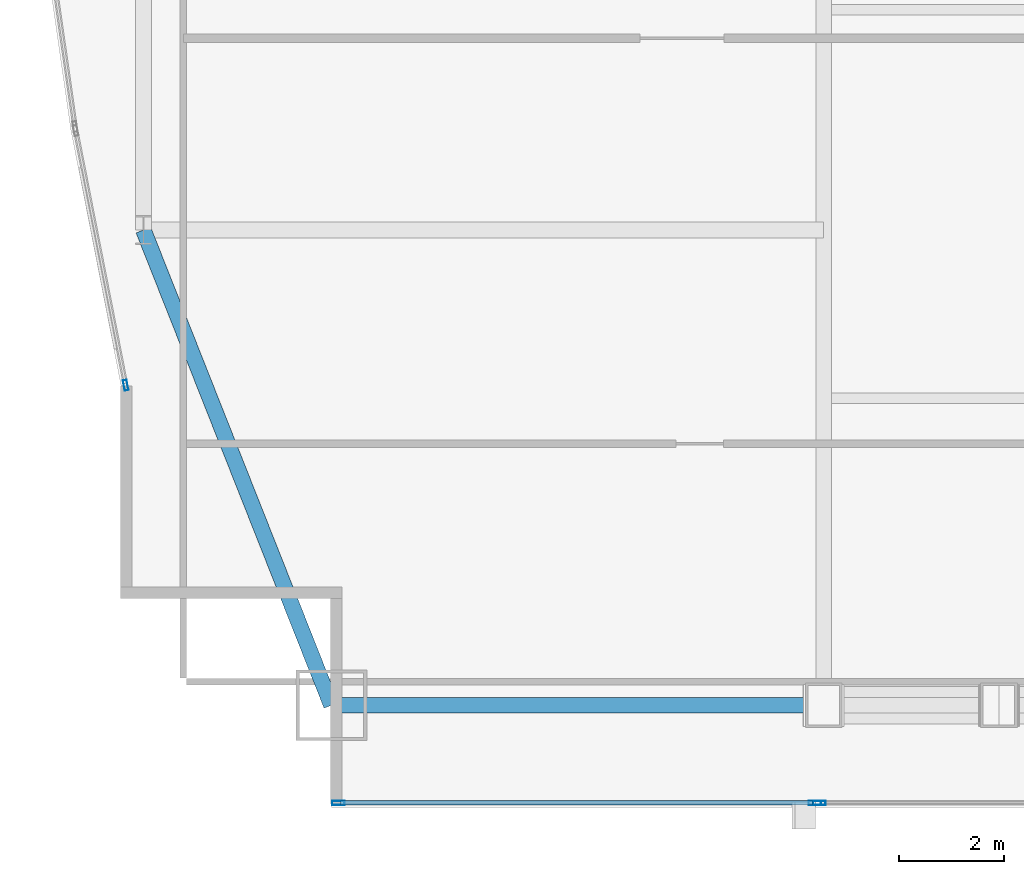
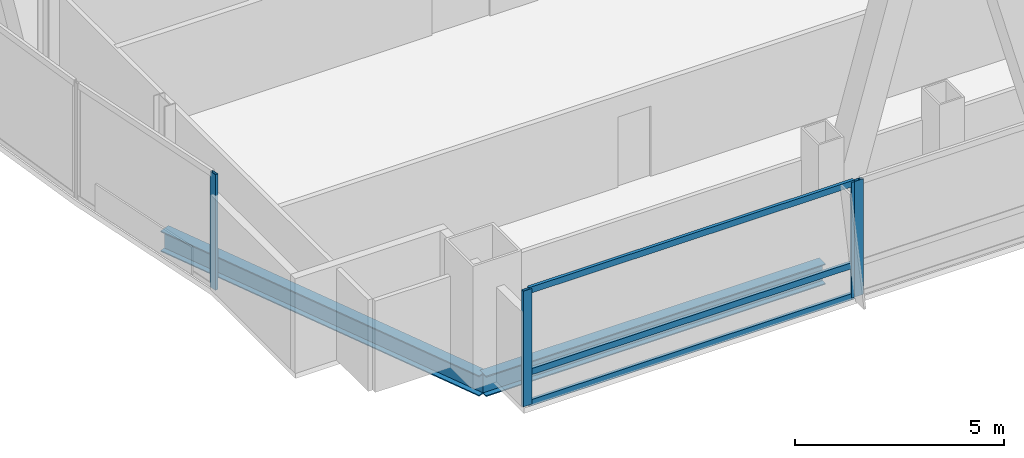
# One storey, part 5 of 31: 7 members, 2 beams, 3 elements without a shape of their own.
"""IFC4 building model written with IfcOpenShell, lengths in metres."""

import ifcopenshell
import ifcopenshell.guid

model = None  # the IFC model being written
_history = None  # IfcOwnerHistory: only IFC2X3 demands one
_inside = {}  # id of a spatial element -> (the spatial element, [elements in it])
_under = {}  # id of a project, library or spatial element -> (it, [spatial elements below it])
_declared = {}  # id of a project -> (the project, [libraries it declares])
_typed = {}  # id of a type object -> (the type object, [elements of that type])
_made_of = {}  # id of a material, layer set ... -> (it, [elements and type objects made of it])


def new_model(schema):
    """Start an empty IFC model of exactly this schema.

    Asked for "IFC4X3", IfcOpenShell would pick the latest addendum, in which some entities
    have other attributes; the version numbers below select the first issue.
    IFC2X3 requires an IfcOwnerHistory on every rooted entity: one is made here for all.
    """
    global model, _history
    if schema == "IFC4X3":
        model = ifcopenshell.file(schema_version=(4, 3, 0, 0))
    else:
        model = ifcopenshell.file(schema=schema)
    _inside.clear()
    _under.clear()
    _declared.clear()
    _typed.clear()
    _made_of.clear()
    _history = None
    if model.schema == "IFC2X3":
        org = make("IfcOrganization", Name="unknown")
        user = make(
            "IfcPersonAndOrganization",
            ThePerson=make("IfcPerson", FamilyName="unknown"),
            TheOrganization=org,
        )
        app = make(
            "IfcApplication",
            ApplicationDeveloper=org,
            Version="unknown",
            ApplicationFullName="unknown",
            ApplicationIdentifier="unknown",
        )
        _history = make(
            "IfcOwnerHistory",
            OwningUser=user,
            OwningApplication=app,
            ChangeAction="ADDED",
            CreationDate=0,
        )
    return model


def make(cls, **values):
    """One entity of the class cls with the attributes given. An attribute that is None is left unset."""
    return model.create_entity(
        cls, **{name: value for name, value in values.items() if value is not None}
    )


def rooted(cls, **values):
    """An entity with a GlobalId (a new one), such as an element, a storey or a relation."""
    return make(cls, GlobalId=ifcopenshell.guid.new(), OwnerHistory=_history, **values)


def si_unit(unit_type, name, prefix=None):
    """IfcSIUnit, for example si_unit("LENGTHUNIT", "METRE", prefix="MILLI")."""
    return make("IfcSIUnit", UnitType=unit_type, Prefix=prefix, Name=name)


def assignment(units):
    """IfcUnitAssignment: the units of a project."""
    return None if units is None else make("IfcUnitAssignment", Units=units)


def point(xyz):
    """IfcCartesianPoint."""
    return None if xyz is None else make("IfcCartesianPoint", Coordinates=xyz)


def direction(xyz):
    """IfcDirection."""
    return None if xyz is None else make("IfcDirection", DirectionRatios=xyz)


def frame(location, z_axis=None, x_axis=None):
    """IfcAxis2Placement3D, a coordinate frame: its origin and axes. An axis left out is left unset."""
    return make(
        "IfcAxis2Placement3D",
        Location=point(location),
        Axis=direction(z_axis),
        RefDirection=direction(x_axis),
    )


def frame_2d(location, x_axis=None):
    """IfcAxis2Placement2D, a coordinate frame in the plane: its origin and x axis."""
    return make(
        "IfcAxis2Placement2D", Location=point(location), RefDirection=direction(x_axis)
    )


def origin():
    """The frame at (0, 0, 0) with its axes left unset."""
    return frame((0.0, 0.0, 0.0))


def origin_2d():
    """The frame at (0, 0) in the plane with its x axis left unset."""
    return frame_2d((0.0, 0.0))


def place(relative_to, where):
    """IfcLocalPlacement: puts the frame where relative to a parent placement (None: the world)."""
    return make(
        "IfcLocalPlacement", PlacementRelTo=relative_to, RelativePlacement=where
    )


def context(
    kind, dimensions, precision=None, world=None, true_north=None, identifier=None
):
    """IfcGeometricRepresentationContext, for example the 3D "Model" context."""
    return make(
        "IfcGeometricRepresentationContext",
        ContextIdentifier=identifier,
        ContextType=kind,
        CoordinateSpaceDimension=dimensions,
        Precision=precision,
        WorldCoordinateSystem=world,
        TrueNorth=true_north,
    )


def subcontext(parent, identifier, kind, view, scale=None):
    """IfcGeometricRepresentationSubContext, for example "Body" below "Model"."""
    return make(
        "IfcGeometricRepresentationSubContext",
        ContextIdentifier=identifier,
        ContextType=kind,
        ParentContext=parent,
        TargetScale=scale,
        TargetView=view,
    )


def project(units=None, contexts=None):
    """IfcProject with its units and contexts."""
    return rooted(
        "IfcProject",
        Name="project",
        RepresentationContexts=contexts,
        UnitsInContext=assignment(units),
    )


def spatial(cls, under=None, at=None, **own):
    """A site, building, storey or space (cls), placed at a placement, below another one or the project."""
    s = rooted(cls, ObjectPlacement=at, **own)
    if under is not None:
        _under.setdefault(under.id(), (under, []))[1].append(s)
    return s


def profile(cls, at=None, kind="AREA", **sizes):
    """A parametric profile (cls). Its sizes go by their IFC names, for example OverallWidth=200.0."""
    return make(cls, ProfileType=kind, Position=at, **sizes)


def hollow_rectangle(**sizes):
    """IfcRectangleHollowProfileDef."""
    return profile("IfcRectangleHollowProfileDef", **sizes)


def i_section(**sizes):
    """IfcIShapeProfileDef."""
    return profile("IfcIShapeProfileDef", **sizes)


def extrude(swept, where, along, depth):
    """IfcExtrudedAreaSolid: the profile swept, set in the frame where, extruded along a direction by depth."""
    return make(
        "IfcExtrudedAreaSolid",
        SweptArea=swept,
        Position=where,
        ExtrudedDirection=direction(along),
        Depth=depth,
    )


def shape(context_of_items, identifier, shape_type, items):
    """IfcShapeRepresentation: the items that make up one representation, for example the "Body"."""
    return make(
        "IfcShapeRepresentation",
        ContextOfItems=context_of_items,
        RepresentationIdentifier=identifier,
        RepresentationType=shape_type,
        Items=items,
    )


def material(Name=None, Category=None):
    """IfcMaterial."""
    return make("IfcMaterial", Name=Name, Category=Category)


def material_profile(
    of_material, cross_section, Name=None, Category=None, Priority=None
):
    """IfcMaterialProfile: a cross section and its material."""
    return make(
        "IfcMaterialProfile",
        Name=Name,
        Material=of_material,
        Profile=cross_section,
        Priority=Priority,
        Category=Category,
    )


def profile_set(profiles, Name=None, composite=None):
    """IfcMaterialProfileSet."""
    return make(
        "IfcMaterialProfileSet",
        Name=Name,
        MaterialProfiles=profiles,
        CompositeProfile=composite,
    )


def made_of(thing, what):
    """Note that an element or type object is made of a material, layer set ...; save() writes the relation."""
    if what is not None:
        _made_of.setdefault(what.id(), (what, []))[1].append(thing)
    return thing


def type_object(cls, material=None, **own):
    """A type object (cls), such as IfcWallType, which elements share."""
    return made_of(rooted(cls, **own), material)


def element(
    cls,
    number,
    at=None,
    inside=None,
    cuts=None,
    type_object=None,
    material=None,
    context=None,
    identifier="Body",
    shape_type=None,
    held_by="IfcProductDefinitionShape",
    body=None,
    shapes=None,
    **own,
):
    """One element of the class cls, such as IfcWall. Its Tag is "e" and its number.

    at: its placement. inside: the storey or other place that contains it. cuts: it is an
    opening in that element (IfcRelVoidsElement). A single representation is given by context,
    identifier, shape_type and body (its items); several are given by shapes. held_by: the class
    of the entity that holds the representations. save() writes the other relations.
    """
    e = rooted(cls, Tag="e%d" % number, ObjectPlacement=at, **own)
    if body is not None:
        shapes = [shape(context, identifier, shape_type, body)]
    if shapes is not None:
        e.Representation = make(held_by, Representations=shapes)
    if inside is not None:
        _inside.setdefault(inside.id(), (inside, []))[1].append(e)
    if cuts is not None:
        rooted(
            "IfcRelVoidsElement", RelatingBuildingElement=cuts, RelatedOpeningElement=e
        )
    if type_object is not None:
        _typed.setdefault(type_object.id(), (type_object, []))[1].append(e)
    return made_of(e, material)


def aggregate(whole, parts):
    """IfcRelAggregates: a whole, such as a stair, and the parts it consists of."""
    return rooted("IfcRelAggregates", RelatingObject=whole, RelatedObjects=parts)


def save(model, path):
    """Write the relations noted so far, then the file.

    IfcRelAggregates (storeys below a building ...), IfcRelContainedInSpatialStructure (elements
    in a storey), IfcRelDefinesByType, IfcRelAssociatesMaterial and IfcRelDeclares: one each for
    every whole, place, type object, material and project.
    """
    for whole, parts in _under.values():
        aggregate(whole, parts)
    for where, things in _inside.values():
        rooted(
            "IfcRelContainedInSpatialStructure",
            RelatedElements=things,
            RelatingStructure=where,
        )
    for kind, things in _typed.values():
        rooted("IfcRelDefinesByType", RelatedObjects=things, RelatingType=kind)
    for what, things in _made_of.values():
        rooted("IfcRelAssociatesMaterial", RelatedObjects=things, RelatingMaterial=what)
    for by, libraries in _declared.values():
        rooted("IfcRelDeclares", RelatingContext=by, RelatedDefinitions=libraries)
    model.write(path)


model = new_model("IFC4")

# Units and contexts
model_context = context("Model", 3, precision=1e-05, world=origin(), true_north=direction((0.0, 1.0)))
body_context = subcontext(model_context, "Body", "Model", "MODEL_VIEW")
ifc_project = project(units=[si_unit("LENGTHUNIT", "METRE"), si_unit("AREAUNIT", "SQUARE_METRE"), si_unit("VOLUMEUNIT", "CUBIC_METRE"), si_unit("PLANEANGLEUNIT", "RADIAN"), si_unit("MASSUNIT", "GRAM", prefix="KILO")], contexts=[model_context])

# Site, building, storey
site_placement = place(None, origin())
site = spatial("IfcSite", under=ifc_project, at=site_placement, CompositionType="ELEMENT")
building_placement = place(site_placement, origin())
building = spatial("IfcBuilding", under=site, at=building_placement, Name="Khoronbel Lancet Exchange", CompositionType="ELEMENT")
storey_placement = place(building_placement, frame((0.0, 0.0, 168.60009765625)))
storey = spatial("IfcBuildingStorey", under=building, at=storey_placement, Name="L42", CompositionType="ELEMENT", Elevation=168.60009765625)

# Beams
ifc_material_1 = material(Name="Steel S355", Category="steel")
ifc_material_profile_1 = material_profile(ifc_material_1, i_section(OverallWidth=0.300048828125, OverallDepth=0.60009765625, WebThickness=0.015380859375, FlangeThickness=0.030029296875, at=origin_2d()), Name="HEB 600")
ifc_profile_set_1 = profile_set([ifc_material_profile_1], Name="Steel S355")
beam_type = type_object("IfcBeamType", Name="BM-BSP2", PredefinedType="SPANDREL", material=ifc_profile_set_1)
beam_1_placement = place(storey_placement, frame((8.85009765625, 10.14990234375, -0.460205078125), z_axis=(1.0, 0.0, 0.0), x_axis=(0.0, 1.0, 0.0)))
element("IfcBeam", 1, at=beam_1_placement, inside=storey, type_object=beam_type, Name="Level L42 perimeter spandrel beam SP01", PredefinedType="SPANDREL", context=body_context, shape_type="SweptSolid", body=[
    extrude(i_section(OverallWidth=0.300048828125, OverallDepth=0.60009765625, WebThickness=0.015380859375, FlangeThickness=0.030029296875, at=origin_2d()), origin(), (0.0, 0.0, 1.0), 9.375),
])
beam_2_placement = place(storey_placement, frame((5.27001953125, 19.199951171875, -0.460205078125), z_axis=(0.367850095026, -0.92988510451, 0.0), x_axis=(0.92988510451, 0.367850095026, 0.0)))
element("IfcBeam", 2, at=beam_2_placement, inside=storey, type_object=beam_type, Name="Level L42 perimeter spandrel beam SP21", PredefinedType="SPANDREL", context=body_context, shape_type="SweptSolid", body=[
    extrude(i_section(OverallWidth=0.300048828125, OverallDepth=0.60009765625, WebThickness=0.015380859375, FlangeThickness=0.030029296875, at=origin_2d()), origin(), (0.0, 0.0, 1.0), 9.732421875),
])

# Curtain wall, members
ifc_material_2 = material(Name="Low-E Solar Control Insulating Glass", Category="glass")
curtain_wall_type_1 = type_object("IfcCurtainWallType", Name="CW-3", PredefinedType="NOTDEFINED", material=ifc_material_2)
curtain_wall_1_placement = place(storey_placement, origin())
curtain_wall_1 = element("IfcCurtainWall", 3, at=curtain_wall_1_placement, inside=storey, type_object=curtain_wall_type_1, Name="Unitised curtain wall CW-L42-SWV", PredefinedType="NOTDEFINED")
ifc_material_3 = material(Name="Bronze-Anodised Aluminium 6063-T6", Category="aluminium")
ifc_material_profile_2 = material_profile(ifc_material_3, hollow_rectangle(XDim=0.0849609375, YDim=0.239990234375, WallThickness=0.006103515625, at=origin_2d()), Name="ALU MULLION 85x240")
ifc_profile_set_2 = profile_set([ifc_material_profile_2], Name="Bronze-Anodised Aluminium 6063-T6")
member_type_1 = type_object("IfcMemberType", Name="MEM-CWM1", PredefinedType="MULLION", material=ifc_profile_set_2)
member_1_placement = place(storey_placement, frame((8.982421875, 8.2900390625, 0.0), z_axis=(0.0, 0.0, 1.0), x_axis=(0.0, 1.0, 0.0)))
member_1 = element("IfcMember", 4, at=member_1_placement, type_object=member_type_1, Name="CW3 mullion 1", PredefinedType="MULLION", context=body_context, shape_type="SweptSolid", body=[
    extrude(hollow_rectangle(XDim=0.0849609375, YDim=0.239990234375, WallThickness=0.006103515625, at=origin_2d()), origin(), (0.0, 0.0, 1.0), 3.3798828125),
])
member_2_placement = place(storey_placement, frame((18.0576171875, 8.2900390625, 0.0), z_axis=(0.0, 0.0, 1.0), x_axis=(0.0, 1.0, 0.0)))
member_2 = element("IfcMember", 5, at=member_2_placement, type_object=member_type_1, Name="CW3 mullion 2", PredefinedType="MULLION", context=body_context, shape_type="SweptSolid", body=[
    extrude(hollow_rectangle(XDim=0.0849609375, YDim=0.239990234375, WallThickness=0.006103515625, at=origin_2d()), origin(), (0.0, 0.0, 1.0), 3.3798828125),
])

# Curtain wall, member
curtain_wall_2_placement = place(storey_placement, origin())
curtain_wall_2 = element("IfcCurtainWall", 6, at=curtain_wall_2_placement, inside=storey, type_object=curtain_wall_type_1, Name="Unitised curtain wall CW-L42-SWB", PredefinedType="NOTDEFINED")
member_3_placement = place(storey_placement, frame((18.142578125, 8.2900390625, 0.0), z_axis=(0.0, 0.0, 1.0), x_axis=(0.0, 1.0, 0.0)))
member_3 = element("IfcMember", 7, at=member_3_placement, type_object=member_type_1, Name="CW3 mullion 1", PredefinedType="MULLION", context=body_context, shape_type="SweptSolid", body=[
    extrude(hollow_rectangle(XDim=0.0849609375, YDim=0.239990234375, WallThickness=0.006103515625, at=origin_2d()), origin(), (0.0, 0.0, 1.0), 3.3798828125),
])
aggregate(curtain_wall_2, [member_3])

curtain_wall_type_2 = type_object("IfcCurtainWallType", Name="CW-4", PredefinedType="NOTDEFINED", material=ifc_material_2)
curtain_wall_3_placement = place(storey_placement, origin())
curtain_wall_3 = element("IfcCurtainWall", 8, at=curtain_wall_3_placement, inside=storey, type_object=curtain_wall_type_2, Name="Unitised curtain wall CW-L42-E04", PredefinedType="NOTDEFINED")
ifc_material_profile_3 = material_profile(ifc_material_3, hollow_rectangle(XDim=0.074951171875, YDim=0.199951171875, WallThickness=0.0048828125, at=origin_2d()), Name="ALU MULLION 75x200")
ifc_profile_set_3 = profile_set([ifc_material_profile_3], Name="Bronze-Anodised Aluminium 6063-T6")
member_type_2 = type_object("IfcMemberType", Name="MEM-CWM2", PredefinedType="MULLION", material=ifc_profile_set_3)
member_4_placement = place(storey_placement, frame((4.932861328125, 16.24560546875, 0.0), z_axis=(0.0, 0.0, 1.0), x_axis=(-0.981272105563, -0.192626724116, 0.0)))
member_4 = element("IfcMember", 9, at=member_4_placement, type_object=member_type_2, Name="CW4 mullion 1", PredefinedType="MULLION", context=body_context, shape_type="SweptSolid", body=[
    extrude(hollow_rectangle(XDim=0.074951171875, YDim=0.199951171875, WallThickness=0.0048828125, at=origin_2d()), origin(), (0.0, 0.0, 1.0), 3.3798828125),
])
aggregate(curtain_wall_3, [member_4])

# Member
ifc_material_profile_4 = material_profile(ifc_material_3, hollow_rectangle(XDim=0.0849609375, YDim=0.179931640625, WallThickness=0.0048828125, at=origin_2d()), Name="ALU TRANSOM 85x180")
ifc_profile_set_4 = profile_set([ifc_material_profile_4], Name="Bronze-Anodised Aluminium 6063-T6")
member_type_3 = type_object("IfcMemberType", Name="MEM-CWT1", PredefinedType="USERDEFINED", material=ifc_profile_set_4)
member_5_placement = place(storey_placement, frame((9.02490234375, 8.2900390625, 0.04248046875), z_axis=(1.0, 0.0, 0.0), x_axis=(0.0, 1.0, 0.0)))
member_5 = element("IfcMember", 10, at=member_5_placement, type_object=member_type_3, Name="CW3 transom 1.1", ObjectType="TRANSOM", PredefinedType="USERDEFINED", context=body_context, shape_type="SweptSolid", body=[
    extrude(hollow_rectangle(XDim=0.0849609375, YDim=0.179931640625, WallThickness=0.0048828125, at=origin_2d()), origin(), (0.0, 0.0, 1.0), 8.989990234375),
])

member_6_placement = place(storey_placement, frame((9.02490234375, 8.2900390625, 0.949951171875), z_axis=(1.0, 0.0, 0.0), x_axis=(0.0, 1.0, 0.0)))
member_6 = element("IfcMember", 11, at=member_6_placement, type_object=member_type_3, Name="CW3 transom 1.2", ObjectType="TRANSOM", PredefinedType="USERDEFINED", context=body_context, shape_type="SweptSolid", body=[
    extrude(hollow_rectangle(XDim=0.0849609375, YDim=0.179931640625, WallThickness=0.0048828125, at=origin_2d()), origin(), (0.0, 0.0, 1.0), 8.989990234375),
])

member_7_placement = place(storey_placement, frame((9.02490234375, 8.2900390625, 3.33740234375), z_axis=(1.0, 0.0, 0.0), x_axis=(0.0, 1.0, 0.0)))
member_7 = element("IfcMember", 12, at=member_7_placement, type_object=member_type_3, Name="CW3 transom 1.3", ObjectType="TRANSOM", PredefinedType="USERDEFINED", context=body_context, shape_type="SweptSolid", body=[
    extrude(hollow_rectangle(XDim=0.0849609375, YDim=0.179931640625, WallThickness=0.0048828125, at=origin_2d()), origin(), (0.0, 0.0, 1.0), 8.989990234375),
])

aggregate(curtain_wall_1, [member_1, member_2, member_5, member_6, member_7])

save(model, "model.ifc")
